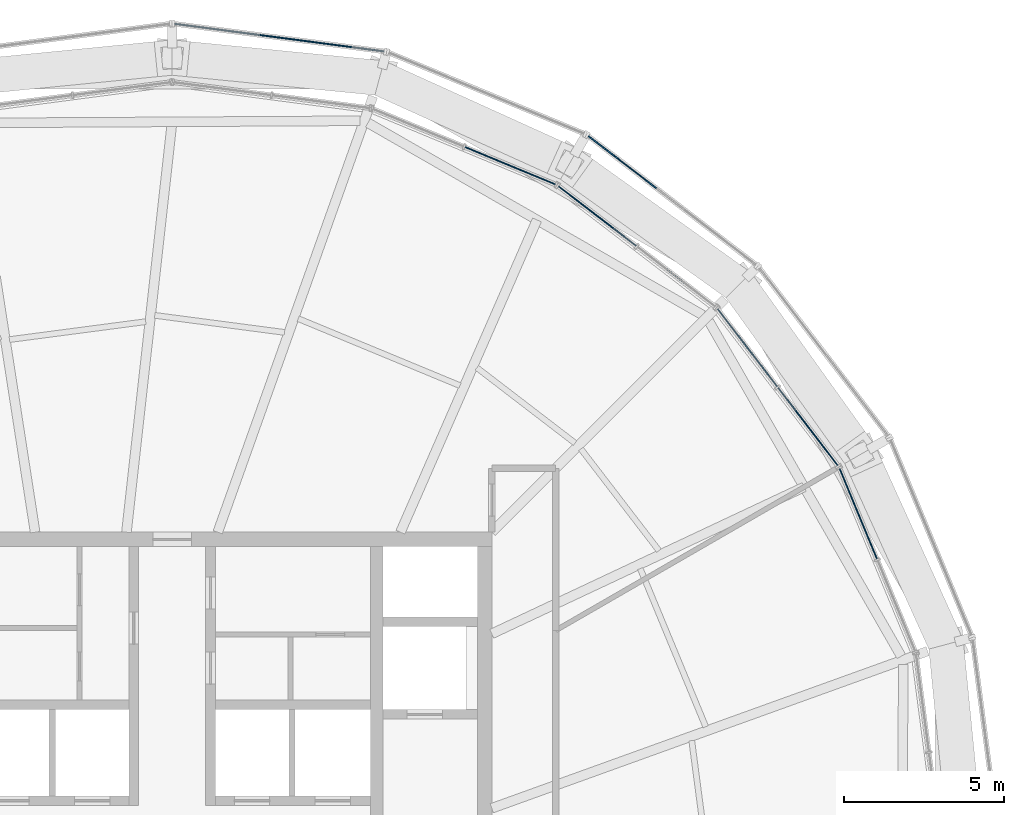
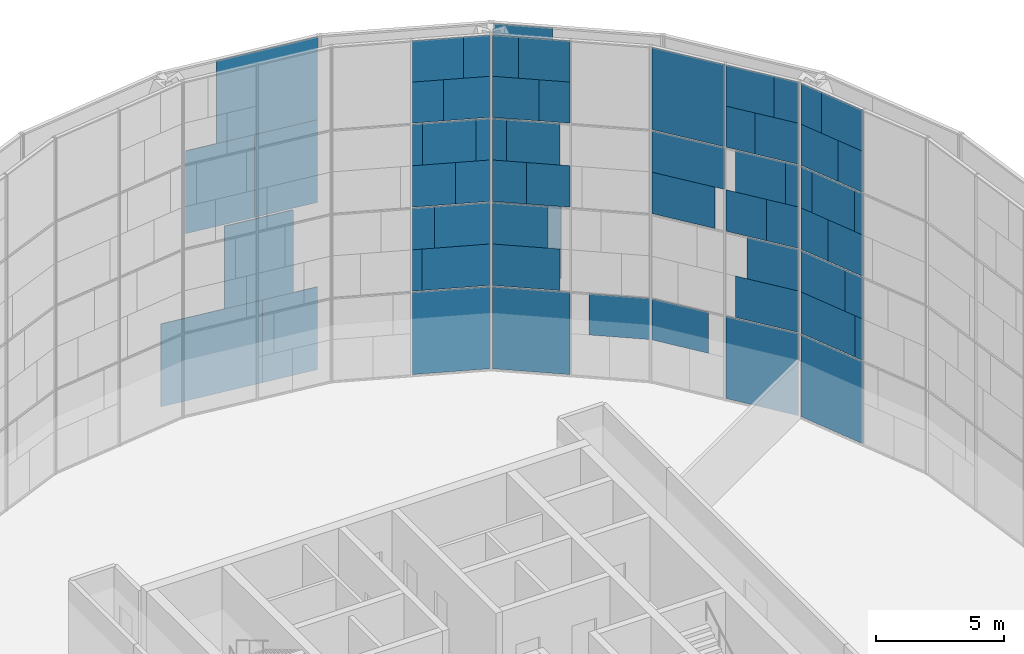
# One storey, part 24 of 30: 64 plates, 6 elements without a shape of their own.
"""IFC4 building model written with IfcOpenShell, lengths in metres."""

from ifc_helpers import new_model, si_unit, direction, frame, origin, origin_2d, place, context, subcontext, project, spatial, rectangle, extrude, material, layer, layer_set, type_object, element, aggregate, save


model = new_model("IFC4")

# Units and contexts
model_context = context("Model", 3, precision=1e-05, world=origin(), true_north=direction((0.0, 1.0)))
body_context = subcontext(model_context, "Body", "Model", "MODEL_VIEW")
ifc_project = project(units=[si_unit("LENGTHUNIT", "METRE"), si_unit("AREAUNIT", "SQUARE_METRE"), si_unit("VOLUMEUNIT", "CUBIC_METRE"), si_unit("PLANEANGLEUNIT", "RADIAN"), si_unit("MASSUNIT", "GRAM", prefix="KILO")], contexts=[model_context])

# Site, building, storey
site_placement = place(None, origin())
site = spatial("IfcSite", under=ifc_project, at=site_placement, CompositionType="ELEMENT")
building_placement = place(site_placement, origin())
building = spatial("IfcBuilding", under=site, at=building_placement, Name="Golbaran Civic Tower", CompositionType="ELEMENT")
storey_placement = place(building_placement, frame((0.0, 0.0, 167.0)))
storey = spatial("IfcBuildingStorey", under=building, at=storey_placement, Name="L40", CompositionType="ELEMENT", Elevation=167.0)

# Curtain wall, plates
ifc_material_1 = material(Name="Aluminium and glass", Category="aluminium")
curtain_wall_type_1 = type_object("IfcCurtainWallType", Name="INNER SKIN CURTAIN WALL EXECUTIVE", PredefinedType="NOTDEFINED", material=ifc_material_1)
curtain_wall_1_placement = place(storey_placement, origin())
curtain_wall_1 = element("IfcCurtainWall", 1, at=curtain_wall_1_placement, inside=storey, type_object=curtain_wall_type_1, Name="Inner skin L40 facet 2 CW2", ObjectType="INNER SKIN", PredefinedType="USERDEFINED")
ifc_material_2 = material(Name="Clear insulating glass", Category="glass")
ifc_layer_1 = layer(ifc_material_2, 0.031982421875, Name="Clear insulating glass")
ifc_layer_set_1 = layer_set([ifc_layer_1], Name="Clear insulating glass")
plate_type_1 = type_object("IfcPlateType", Name="INNER SKIN CURTAIN WALL EXECUTIVE GLAZED PANEL", PredefinedType="CURTAIN_PANEL", material=ifc_layer_set_1)
plate_1_placement = place(storey_placement, frame((21.463623046875, 10.575439453125, 0.06005859375), z_axis=(0.0, 0.0, 1.0), x_axis=(-0.382683432462, 0.923879532471, 0.0)))
plate_1 = element("IfcPlate", 2, at=plate_1_placement, type_object=plate_type_1, Name="CW2 panel 2.1", PredefinedType="CURTAIN_PANEL", context=body_context, shape_type="SweptSolid", body=[
    extrude(rectangle(XDim=3.053466796875, YDim=0.031982421875, at=origin_2d()), origin(), (0.0, 0.0, 1.0), 3.909912109375),
])
plate_2_placement = place(storey_placement, frame((21.386962890625, 10.7607421875, 4.02978515625), z_axis=(0.0, 0.0, 1.0), x_axis=(-0.382683432462, 0.923879532471, 0.0)))
plate_2 = element("IfcPlate", 3, at=plate_2_placement, type_object=plate_type_1, Name="CW2 panel 2.2 part 2", PredefinedType="CURTAIN_PANEL", context=body_context, shape_type="SweptSolid", body=[
    extrude(rectangle(XDim=2.65234375, YDim=0.031982421875, at=origin_2d()), origin(), (0.0, 0.0, 1.0), 1.969970703125),
])
plate_3_placement = place(storey_placement, frame((21.29443359375, 10.984375, 6.0), z_axis=(0.0, 0.0, 1.0), x_axis=(-0.382683432462, 0.923879532471, 0.0)))
plate_3 = element("IfcPlate", 4, at=plate_3_placement, type_object=plate_type_1, Name="CW2 panel 2.2 part 4", PredefinedType="CURTAIN_PANEL", context=body_context, shape_type="SweptSolid", body=[
    extrude(rectangle(XDim=2.16845703125, YDim=0.031982421875, at=origin_2d()), origin(), (0.0, 0.0, 1.0), 1.969970703125),
])
plate_4_placement = place(storey_placement, frame((21.13623046875, 11.365966796875, 8.02978515625), z_axis=(0.0, 0.0, 1.0), x_axis=(-0.382683432462, 0.923879532471, 0.0)))
plate_4 = element("IfcPlate", 5, at=plate_4_placement, type_object=plate_type_1, Name="CW2 panel 2.3 part 2", PredefinedType="CURTAIN_PANEL", context=body_context, shape_type="SweptSolid", body=[
    extrude(rectangle(XDim=1.342529296875, YDim=0.031982421875, at=origin_2d()), origin(), (0.0, 0.0, 1.0), 1.969970703125),
])
plate_5_placement = place(storey_placement, frame((21.969970703125, 9.35302734375, 10.0), z_axis=(0.0, 0.0, 1.0), x_axis=(-0.382683432462, 0.923879532471, 0.0)))
plate_5 = element("IfcPlate", 6, at=plate_5_placement, type_object=plate_type_1, Name="CW2 panel 2.3 part 3", PredefinedType="CURTAIN_PANEL", context=body_context, shape_type="SweptSolid", body=[
    extrude(rectangle(XDim=0.406982421875, YDim=0.031982421875, at=origin_2d()), origin(), (0.0, 0.0, 1.0), 1.969970703125),
])
plate_6_placement = place(storey_placement, frame((20.982666015625, 11.73681640625, 10.0), z_axis=(0.0, 0.0, 1.0), x_axis=(-0.382683432462, 0.923879532471, 0.0)))
plate_6 = element("IfcPlate", 7, at=plate_6_placement, type_object=plate_type_1, Name="CW2 panel 2.3 part 5", PredefinedType="CURTAIN_PANEL", context=body_context, shape_type="SweptSolid", body=[
    extrude(rectangle(XDim=0.53955078125, YDim=0.031982421875, at=origin_2d()), origin(), (0.0, 0.0, 1.0), 1.969970703125),
])
plate_7_placement = place(storey_placement, frame((21.811767578125, 9.735107421875, 12.030029296875), z_axis=(0.0, 0.0, 1.0), x_axis=(-0.382683432462, 0.923879532471, 0.0)))
plate_7 = element("IfcPlate", 8, at=plate_7_placement, type_object=plate_type_1, Name="CW2 panel 2.4 part 1", PredefinedType="CURTAIN_PANEL", context=body_context, shape_type="SweptSolid", body=[
    extrude(rectangle(XDim=1.23388671875, YDim=0.031982421875, at=origin_2d()), origin(), (0.0, 0.0, 1.0), 1.955078125),
])
plate_8_placement = place(storey_placement, frame((21.659423828125, 10.102783203125, 13.98486328125), z_axis=(0.0, 0.0, 1.0), x_axis=(-0.382683432462, 0.923879532471, 0.0)))
plate_8 = element("IfcPlate", 9, at=plate_8_placement, type_object=plate_type_1, Name="CW2 panel 2.4 part 3", PredefinedType="CURTAIN_PANEL", context=body_context, shape_type="SweptSolid", body=[
    extrude(rectangle(XDim=2.030029296875, YDim=0.031982421875, at=origin_2d()), origin(), (0.0, 0.0, 1.0), 1.955078125),
])

curtain_wall_2_placement = place(storey_placement, origin())
curtain_wall_2 = element("IfcCurtainWall", 10, at=curtain_wall_2_placement, inside=storey, type_object=curtain_wall_type_1, Name="Inner skin L40 facet 3 CW2", ObjectType="INNER SKIN", PredefinedType="USERDEFINED")
plate_9_placement = place(storey_placement, frame((19.890625, 13.30029296875, 0.06005859375), z_axis=(0.0, 0.0, 1.0), x_axis=(-0.608761429036, 0.79335334027, 0.0)))
plate_9 = element("IfcPlate", 11, at=plate_9_placement, type_object=plate_type_1, Name="CW2 panel 1.1", PredefinedType="CURTAIN_PANEL", context=body_context, shape_type="SweptSolid", body=[
    extrude(rectangle(XDim=3.053466796875, YDim=0.031982421875, at=origin_2d()), origin(), (0.0, 0.0, 1.0), 3.909912109375),
])
plate_10_placement = place(storey_placement, frame((20.0126953125, 13.14111328125, 4.02978515625), z_axis=(0.0, 0.0, 1.0), x_axis=(-0.608761429036, 0.79335334027, 0.0)))
plate_10 = element("IfcPlate", 12, at=plate_10_placement, type_object=plate_type_1, Name="CW2 panel 1.2 part 1", PredefinedType="CURTAIN_PANEL", context=body_context, shape_type="SweptSolid", body=[
    extrude(rectangle(XDim=2.652099609375, YDim=0.031982421875, at=origin_2d()), origin(), (0.0, 0.0, 1.0), 1.969970703125),
])
plate_11_placement = place(storey_placement, frame((20.15966796875, 12.949462890625, 6.0), z_axis=(0.0, 0.0, 1.0), x_axis=(-0.608761429036, 0.79335334027, 0.0)))
plate_11 = element("IfcPlate", 13, at=plate_11_placement, type_object=plate_type_1, Name="CW2 panel 1.2 part 3", PredefinedType="CURTAIN_PANEL", context=body_context, shape_type="SweptSolid", body=[
    extrude(rectangle(XDim=2.1689453125, YDim=0.031982421875, at=origin_2d()), origin(), (0.0, 0.0, 1.0), 1.969970703125),
])
plate_12_placement = place(storey_placement, frame((20.411376953125, 12.621337890625, 8.02978515625), z_axis=(0.0, 0.0, 1.0), x_axis=(-0.608761429036, 0.79335334027, 0.0)))
plate_12 = element("IfcPlate", 14, at=plate_12_placement, type_object=plate_type_1, Name="CW2 panel 1.3 part 1", PredefinedType="CURTAIN_PANEL", context=body_context, shape_type="SweptSolid", body=[
    extrude(rectangle(XDim=1.342041015625, YDim=0.031982421875, at=origin_2d()), origin(), (0.0, 0.0, 1.0), 1.969970703125),
])
plate_13_placement = place(storey_placement, frame((20.655517578125, 12.30322265625, 10.0), z_axis=(0.0, 0.0, 1.0), x_axis=(-0.608761429036, 0.79335334027, 0.0)))
plate_13 = element("IfcPlate", 15, at=plate_13_placement, type_object=plate_type_1, Name="CW2 panel 1.3 part 3", PredefinedType="CURTAIN_PANEL", context=body_context, shape_type="SweptSolid", body=[
    extrude(rectangle(XDim=0.5400390625, YDim=0.031982421875, at=origin_2d()), origin(), (0.0, 0.0, 1.0), 1.969970703125),
])
plate_14_placement = place(storey_placement, frame((19.336669921875, 14.022216796875, 12.030029296875), z_axis=(0.0, 0.0, 1.0), x_axis=(-0.608761429036, 0.79335334027, 0.0)))
plate_14 = element("IfcPlate", 16, at=plate_14_placement, type_object=plate_type_1, Name="CW2 panel 1.4 part 2", PredefinedType="CURTAIN_PANEL", context=body_context, shape_type="SweptSolid", body=[
    extrude(rectangle(XDim=1.2333984375, YDim=0.031982421875, at=origin_2d()), origin(), (0.0, 0.0, 1.0), 1.955078125),
])
plate_15_placement = place(storey_placement, frame((19.578857421875, 13.70654296875, 13.98486328125), z_axis=(0.0, 0.0, 1.0), x_axis=(-0.608761429036, 0.79335334027, 0.0)))
plate_15 = element("IfcPlate", 17, at=plate_15_placement, type_object=plate_type_1, Name="CW2 panel 1.4 part 4", PredefinedType="CURTAIN_PANEL", context=body_context, shape_type="SweptSolid", body=[
    extrude(rectangle(XDim=2.029541015625, YDim=0.031982421875, at=origin_2d()), origin(), (0.0, 0.0, 1.0), 1.955078125),
])
plate_16_placement = place(storey_placement, frame((17.873046875, 15.929443359375, 8.02978515625), z_axis=(0.0, 0.0, 1.0), x_axis=(-0.608761429036, 0.79335334027, 0.0)))
plate_16 = element("IfcPlate", 18, at=plate_16_placement, type_object=plate_type_1, Name="CW2 panel 2.3 part 2", PredefinedType="CURTAIN_PANEL", context=body_context, shape_type="SweptSolid", body=[
    extrude(rectangle(XDim=2.65234375, YDim=0.031982421875, at=origin_2d()), origin(), (0.0, 0.0, 1.0), 1.969970703125),
])
plate_17_placement = place(storey_placement, frame((17.9951171875, 15.7705078125, 10.0), z_axis=(0.0, 0.0, 1.0), x_axis=(-0.608761429036, 0.79335334027, 0.0)))
plate_17 = element("IfcPlate", 19, at=plate_17_placement, type_object=plate_type_1, Name="CW2 panel 2.3 part 3", PredefinedType="CURTAIN_PANEL", context=body_context, shape_type="SweptSolid", body=[
    extrude(rectangle(XDim=3.053466796875, YDim=0.031982421875, at=origin_2d()), origin(), (0.0, 0.0, 1.0), 1.969970703125),
])
plate_18_placement = place(storey_placement, frame((17.9951171875, 15.7705078125, 12.0302734375), z_axis=(0.0, 0.0, 1.0), x_axis=(-0.608761429036, 0.79335334027, 0.0)))
plate_18 = element("IfcPlate", 20, at=plate_18_placement, type_object=plate_type_1, Name="CW2 panel 2.4", PredefinedType="CURTAIN_PANEL", context=body_context, shape_type="SweptSolid", body=[
    extrude(rectangle(XDim=3.053466796875, YDim=0.031982421875, at=origin_2d()), origin(), (0.0, 0.0, 1.0), 3.909912109375),
])

curtain_wall_3_placement = place(storey_placement, origin())
curtain_wall_3 = element("IfcCurtainWall", 21, at=curtain_wall_3_placement, inside=storey, type_object=curtain_wall_type_1, Name="Inner skin L40 facet 4 CW2", ObjectType="INNER SKIN", PredefinedType="USERDEFINED")
plate_19_placement = place(storey_placement, frame((13.30029296875, 19.890625, 0.06005859375), z_axis=(0.0, 0.0, 1.0), x_axis=(-0.79335334027, 0.608761429036, 0.0)))
plate_19 = element("IfcPlate", 22, at=plate_19_placement, type_object=plate_type_1, Name="CW2 panel 2.1", PredefinedType="CURTAIN_PANEL", context=body_context, shape_type="SweptSolid", body=[
    extrude(rectangle(XDim=3.053466796875, YDim=0.031982421875, at=origin_2d()), origin(), (0.0, 0.0, 1.0), 3.909912109375),
])
plate_20_placement = place(storey_placement, frame((13.141357421875, 20.0126953125, 4.02978515625), z_axis=(0.0, 0.0, 1.0), x_axis=(-0.79335334027, 0.608761429036, 0.0)))
plate_20 = element("IfcPlate", 23, at=plate_20_placement, type_object=plate_type_1, Name="CW2 panel 2.2 part 2", PredefinedType="CURTAIN_PANEL", context=body_context, shape_type="SweptSolid", body=[
    extrude(rectangle(XDim=2.65234375, YDim=0.031982421875, at=origin_2d()), origin(), (0.0, 0.0, 1.0), 1.969970703125),
])
plate_21_placement = place(storey_placement, frame((12.94921875, 20.159912109375, 6.0), z_axis=(0.0, 0.0, 1.0), x_axis=(-0.79335334027, 0.608761429036, 0.0)))
plate_21 = element("IfcPlate", 24, at=plate_21_placement, type_object=plate_type_1, Name="CW2 panel 2.2 part 4", PredefinedType="CURTAIN_PANEL", context=body_context, shape_type="SweptSolid", body=[
    extrude(rectangle(XDim=2.16845703125, YDim=0.031982421875, at=origin_2d()), origin(), (0.0, 0.0, 1.0), 1.969970703125),
])
plate_22_placement = place(storey_placement, frame((12.62158203125, 20.411376953125, 8.02978515625), z_axis=(0.0, 0.0, 1.0), x_axis=(-0.79335334027, 0.608761429036, 0.0)))
plate_22 = element("IfcPlate", 25, at=plate_22_placement, type_object=plate_type_1, Name="CW2 panel 2.3 part 2", PredefinedType="CURTAIN_PANEL", context=body_context, shape_type="SweptSolid", body=[
    extrude(rectangle(XDim=1.342529296875, YDim=0.031982421875, at=origin_2d()), origin(), (0.0, 0.0, 1.0), 1.969970703125),
])
plate_23_placement = place(storey_placement, frame((12.302978515625, 20.65576171875, 10.0), z_axis=(0.0, 0.0, 1.0), x_axis=(-0.79335334027, 0.608761429036, 0.0)))
plate_23 = element("IfcPlate", 26, at=plate_23_placement, type_object=plate_type_1, Name="CW2 panel 2.3 part 5", PredefinedType="CURTAIN_PANEL", context=body_context, shape_type="SweptSolid", body=[
    extrude(rectangle(XDim=0.53955078125, YDim=0.031982421875, at=origin_2d()), origin(), (0.0, 0.0, 1.0), 1.969970703125),
])
plate_24_placement = place(storey_placement, frame((14.02197265625, 19.336669921875, 12.030029296875), z_axis=(0.0, 0.0, 1.0), x_axis=(-0.79335334027, 0.608761429036, 0.0)))
plate_24 = element("IfcPlate", 27, at=plate_24_placement, type_object=plate_type_1, Name="CW2 panel 2.4 part 1", PredefinedType="CURTAIN_PANEL", context=body_context, shape_type="SweptSolid", body=[
    extrude(rectangle(XDim=1.23388671875, YDim=0.031982421875, at=origin_2d()), origin(), (0.0, 0.0, 1.0), 1.955078125),
])
plate_25_placement = place(storey_placement, frame((13.706298828125, 19.5791015625, 13.98486328125), z_axis=(0.0, 0.0, 1.0), x_axis=(-0.79335334027, 0.608761429036, 0.0)))
plate_25 = element("IfcPlate", 28, at=plate_25_placement, type_object=plate_type_1, Name="CW2 panel 2.4 part 3", PredefinedType="CURTAIN_PANEL", context=body_context, shape_type="SweptSolid", body=[
    extrude(rectangle(XDim=2.030029296875, YDim=0.031982421875, at=origin_2d()), origin(), (0.0, 0.0, 1.0), 1.955078125),
])

curtain_wall_4_placement = place(storey_placement, origin())
curtain_wall_4 = element("IfcCurtainWall", 29, at=curtain_wall_4_placement, inside=storey, type_object=curtain_wall_type_1, Name="Inner skin L40 facet 5 CW2", ObjectType="INNER SKIN", PredefinedType="USERDEFINED")
plate_26_placement = place(storey_placement, frame((10.575439453125, 21.463623046875, 0.06005859375), z_axis=(0.0, 0.0, 1.0), x_axis=(-0.923879532471, 0.382683432462, 0.0)))
plate_26 = element("IfcPlate", 30, at=plate_26_placement, type_object=plate_type_1, Name="CW2 panel 1.1", PredefinedType="CURTAIN_PANEL", context=body_context, shape_type="SweptSolid", body=[
    extrude(rectangle(XDim=3.053466796875, YDim=0.031982421875, at=origin_2d()), origin(), (0.0, 0.0, 1.0), 3.909912109375),
])
plate_27_placement = place(storey_placement, frame((10.760986328125, 21.386962890625, 4.02978515625), z_axis=(0.0, 0.0, 1.0), x_axis=(-0.923879532471, 0.382683432462, 0.0)))
plate_27 = element("IfcPlate", 31, at=plate_27_placement, type_object=plate_type_1, Name="CW2 panel 1.2 part 1", PredefinedType="CURTAIN_PANEL", context=body_context, shape_type="SweptSolid", body=[
    extrude(rectangle(XDim=2.652099609375, YDim=0.031982421875, at=origin_2d()), origin(), (0.0, 0.0, 1.0), 1.969970703125),
])
plate_28_placement = place(storey_placement, frame((10.984130859375, 21.29443359375, 6.0), z_axis=(0.0, 0.0, 1.0), x_axis=(-0.923879532471, 0.382683432462, 0.0)))
plate_28 = element("IfcPlate", 32, at=plate_28_placement, type_object=plate_type_1, Name="CW2 panel 1.2 part 3", PredefinedType="CURTAIN_PANEL", context=body_context, shape_type="SweptSolid", body=[
    extrude(rectangle(XDim=2.1689453125, YDim=0.031982421875, at=origin_2d()), origin(), (0.0, 0.0, 1.0), 1.969970703125),
])
plate_29_placement = place(storey_placement, frame((11.3662109375, 21.13623046875, 8.02978515625), z_axis=(0.0, 0.0, 1.0), x_axis=(-0.923879532471, 0.382683432462, 0.0)))
plate_29 = element("IfcPlate", 33, at=plate_29_placement, type_object=plate_type_1, Name="CW2 panel 1.3 part 1", PredefinedType="CURTAIN_PANEL", context=body_context, shape_type="SweptSolid", body=[
    extrude(rectangle(XDim=1.342041015625, YDim=0.031982421875, at=origin_2d()), origin(), (0.0, 0.0, 1.0), 1.969970703125),
])
plate_30_placement = place(storey_placement, frame((11.736572265625, 20.982666015625, 10.0), z_axis=(0.0, 0.0, 1.0), x_axis=(-0.923879532471, 0.382683432462, 0.0)))
plate_30 = element("IfcPlate", 34, at=plate_30_placement, type_object=plate_type_1, Name="CW2 panel 1.3 part 3", PredefinedType="CURTAIN_PANEL", context=body_context, shape_type="SweptSolid", body=[
    extrude(rectangle(XDim=0.5400390625, YDim=0.031982421875, at=origin_2d()), origin(), (0.0, 0.0, 1.0), 1.969970703125),
])
plate_31_placement = place(storey_placement, frame((9.353271484375, 21.969970703125, 10.0), z_axis=(0.0, 0.0, 1.0), x_axis=(-0.923879532471, 0.382683432462, 0.0)))
plate_31 = element("IfcPlate", 35, at=plate_31_placement, type_object=plate_type_1, Name="CW2 panel 1.3 part 5", PredefinedType="CURTAIN_PANEL", context=body_context, shape_type="SweptSolid", body=[
    extrude(rectangle(XDim=0.407470703125, YDim=0.031982421875, at=origin_2d()), origin(), (0.0, 0.0, 1.0), 1.969970703125),
])
plate_32_placement = place(storey_placement, frame((9.73486328125, 21.81201171875, 12.030029296875), z_axis=(0.0, 0.0, 1.0), x_axis=(-0.923879532471, 0.382683432462, 0.0)))
plate_32 = element("IfcPlate", 36, at=plate_32_placement, type_object=plate_type_1, Name="CW2 panel 1.4 part 2", PredefinedType="CURTAIN_PANEL", context=body_context, shape_type="SweptSolid", body=[
    extrude(rectangle(XDim=1.2333984375, YDim=0.031982421875, at=origin_2d()), origin(), (0.0, 0.0, 1.0), 1.955078125),
])
plate_33_placement = place(storey_placement, frame((10.1025390625, 21.65966796875, 13.98486328125), z_axis=(0.0, 0.0, 1.0), x_axis=(-0.923879532471, 0.382683432462, 0.0)))
plate_33 = element("IfcPlate", 37, at=plate_33_placement, type_object=plate_type_1, Name="CW2 panel 1.4 part 4", PredefinedType="CURTAIN_PANEL", context=body_context, shape_type="SweptSolid", body=[
    extrude(rectangle(XDim=2.029541015625, YDim=0.031982421875, at=origin_2d()), origin(), (0.0, 0.0, 1.0), 1.955078125),
])

# Plate
ifc_material_3 = material(Name="Aluminium faced opaque infill panel", Category="aluminium")
ifc_layer_2 = layer(ifc_material_3, 0.031982421875, Name="Aluminium faced opaque infill panel")
ifc_layer_set_2 = layer_set([ifc_layer_2], Name="Aluminium faced opaque infill panel")
plate_type_2 = type_object("IfcPlateType", Name="INNER SKIN CURTAIN WALL EXECUTIVE OPAQUE INFILL PANEL", PredefinedType="CURTAIN_PANEL", material=ifc_layer_set_2)
plate_34_placement = place(storey_placement, frame((21.97119140625, 9.350341796875, 4.02978515625), z_axis=(0.0, 0.0, 1.0), x_axis=(-0.382683432462, 0.923879532471, 0.0)))
plate_34 = element("IfcPlate", 38, at=plate_34_placement, type_object=plate_type_2, Name="CW2 infill panel 2.2 part 1", PredefinedType="CURTAIN_PANEL", context=body_context, shape_type="SweptSolid", body=[
    extrude(rectangle(XDim=0.40087890625, YDim=0.031982421875, at=origin_2d()), origin(), (0.0, 0.0, 1.0), 1.969970703125),
])

plate_35_placement = place(storey_placement, frame((21.878662109375, 9.573974609375, 6.0), z_axis=(0.0, 0.0, 1.0), x_axis=(-0.382683432462, 0.923879532471, 0.0)))
plate_35 = element("IfcPlate", 39, at=plate_35_placement, type_object=plate_type_2, Name="CW2 infill panel 2.2 part 3", PredefinedType="CURTAIN_PANEL", context=body_context, shape_type="SweptSolid", body=[
    extrude(rectangle(XDim=0.885009765625, YDim=0.031982421875, at=origin_2d()), origin(), (0.0, 0.0, 1.0), 1.969970703125),
])

plate_36_placement = place(storey_placement, frame((21.720458984375, 9.955322265625, 8.02978515625), z_axis=(0.0, 0.0, 1.0), x_axis=(-0.382683432462, 0.923879532471, 0.0)))
plate_36 = element("IfcPlate", 40, at=plate_36_placement, type_object=plate_type_2, Name="CW2 infill panel 2.3 part 1", PredefinedType="CURTAIN_PANEL", context=body_context, shape_type="SweptSolid", body=[
    extrude(rectangle(XDim=1.7109375, YDim=0.031982421875, at=origin_2d()), origin(), (0.0, 0.0, 1.0), 1.969970703125),
])

plate_37_placement = place(storey_placement, frame((21.489013671875, 10.514404296875, 10.0), z_axis=(0.0, 0.0, 1.0), x_axis=(-0.382683432462, 0.923879532471, 0.0)))
plate_37 = element("IfcPlate", 41, at=plate_37_placement, type_object=plate_type_2, Name="CW2 infill panel 2.3 part 4", PredefinedType="CURTAIN_PANEL", context=body_context, shape_type="SweptSolid", body=[
    extrude(rectangle(XDim=2.10693359375, YDim=0.031982421875, at=origin_2d()), origin(), (0.0, 0.0, 1.0), 1.969970703125),
])

plate_38_placement = place(storey_placement, frame((21.2275390625, 11.1455078125, 12.030029296875), z_axis=(0.0, 0.0, 1.0), x_axis=(-0.382683432462, 0.923879532471, 0.0)))
plate_38 = element("IfcPlate", 42, at=plate_38_placement, type_object=plate_type_2, Name="CW2 infill panel 2.4 part 2", PredefinedType="CURTAIN_PANEL", context=body_context, shape_type="SweptSolid", body=[
    extrude(rectangle(XDim=1.819580078125, YDim=0.031982421875, at=origin_2d()), origin(), (0.0, 0.0, 1.0), 1.955078125),
])

plate_39_placement = place(storey_placement, frame((21.0751953125, 11.51318359375, 13.98486328125), z_axis=(0.0, 0.0, 1.0), x_axis=(-0.382683432462, 0.923879532471, 0.0)))
plate_39 = element("IfcPlate", 43, at=plate_39_placement, type_object=plate_type_2, Name="CW2 infill panel 2.4 part 4", PredefinedType="CURTAIN_PANEL", context=body_context, shape_type="SweptSolid", body=[
    extrude(rectangle(XDim=1.0234375, YDim=0.031982421875, at=origin_2d()), origin(), (0.0, 0.0, 1.0), 1.955078125),
])

aggregate(curtain_wall_1, [plate_1, plate_34, plate_2, plate_35, plate_3, plate_36, plate_4, plate_5, plate_37, plate_6, plate_7, plate_38, plate_8, plate_39])

plate_40_placement = place(storey_placement, frame((19.482177734375, 13.832763671875, 8.02978515625), z_axis=(0.0, 0.0, 1.0), x_axis=(-0.608761429036, 0.79335334027, 0.0)))
plate_40 = element("IfcPlate", 44, at=plate_40_placement, type_object=plate_type_2, Name="CW2 infill panel 1.3 part 2", PredefinedType="CURTAIN_PANEL", context=body_context, shape_type="SweptSolid", body=[
    extrude(rectangle(XDim=1.71142578125, YDim=0.031982421875, at=origin_2d()), origin(), (0.0, 0.0, 1.0), 1.969970703125),
])

plate_41_placement = place(storey_placement, frame((19.85009765625, 13.35302734375, 10.0), z_axis=(0.0, 0.0, 1.0), x_axis=(-0.608761429036, 0.79335334027, 0.0)))
plate_41 = element("IfcPlate", 45, at=plate_41_placement, type_object=plate_type_2, Name="CW2 infill panel 1.3 part 4", PredefinedType="CURTAIN_PANEL", context=body_context, shape_type="SweptSolid", body=[
    extrude(rectangle(XDim=2.10595703125, YDim=0.031982421875, at=origin_2d()), origin(), (0.0, 0.0, 1.0), 1.969970703125),
])

plate_42_placement = place(storey_placement, frame((20.26611328125, 12.81103515625, 12.030029296875), z_axis=(0.0, 0.0, 1.0), x_axis=(-0.608761429036, 0.79335334027, 0.0)))
plate_42 = element("IfcPlate", 46, at=plate_42_placement, type_object=plate_type_2, Name="CW2 infill panel 1.4 part 1", PredefinedType="CURTAIN_PANEL", context=body_context, shape_type="SweptSolid", body=[
    extrude(rectangle(XDim=1.820068359375, YDim=0.031982421875, at=origin_2d()), origin(), (0.0, 0.0, 1.0), 1.955078125),
])

plate_43_placement = place(storey_placement, frame((20.50830078125, 12.495361328125, 13.98486328125), z_axis=(0.0, 0.0, 1.0), x_axis=(-0.608761429036, 0.79335334027, 0.0)))
plate_43 = element("IfcPlate", 47, at=plate_43_placement, type_object=plate_type_2, Name="CW2 infill panel 1.4 part 3", PredefinedType="CURTAIN_PANEL", context=body_context, shape_type="SweptSolid", body=[
    extrude(rectangle(XDim=1.02392578125, YDim=0.031982421875, at=origin_2d()), origin(), (0.0, 0.0, 1.0), 1.955078125),
])

plate_44_placement = place(storey_placement, frame((17.787109375, 16.041748046875, 2.014892578125), z_axis=(0.0, 0.0, 1.0), x_axis=(-0.608761429036, 0.79335334027, 0.0)))
plate_44 = element("IfcPlate", 48, at=plate_44_placement, type_object=plate_type_2, Name="CW2 infill panel 2.1 part 4", PredefinedType="CURTAIN_PANEL", context=body_context, shape_type="SweptSolid", body=[
    extrude(rectangle(XDim=2.369384765625, YDim=0.031982421875, at=origin_2d()), origin(), (0.0, 0.0, 1.0), 1.955078125),
])

aggregate(curtain_wall_2, [plate_9, plate_10, plate_11, plate_12, plate_40, plate_13, plate_41, plate_42, plate_14, plate_43, plate_15, plate_44, plate_16, plate_17, plate_18])

plate_45_placement = place(storey_placement, frame((16.04150390625, 17.787109375, 2.014892578125), z_axis=(0.0, 0.0, 1.0), x_axis=(-0.79335334027, 0.608761429036, 0.0)))
plate_45 = element("IfcPlate", 49, at=plate_45_placement, type_object=plate_type_2, Name="CW2 infill panel 1.1 part 3", PredefinedType="CURTAIN_PANEL", context=body_context, shape_type="SweptSolid", body=[
    extrude(rectangle(XDim=2.3701171875, YDim=0.031982421875, at=origin_2d()), origin(), (0.0, 0.0, 1.0), 1.955078125),
])

plate_46_placement = place(storey_placement, frame((13.832763671875, 19.48193359375, 8.02978515625), z_axis=(0.0, 0.0, 1.0), x_axis=(-0.79335334027, 0.608761429036, 0.0)))
plate_46 = element("IfcPlate", 50, at=plate_46_placement, type_object=plate_type_2, Name="CW2 infill panel 2.3 part 1", PredefinedType="CURTAIN_PANEL", context=body_context, shape_type="SweptSolid", body=[
    extrude(rectangle(XDim=1.7109375, YDim=0.031982421875, at=origin_2d()), origin(), (0.0, 0.0, 1.0), 1.969970703125),
])

plate_47_placement = place(storey_placement, frame((13.352783203125, 19.850341796875, 10.0), z_axis=(0.0, 0.0, 1.0), x_axis=(-0.79335334027, 0.608761429036, 0.0)))
plate_47 = element("IfcPlate", 51, at=plate_47_placement, type_object=plate_type_2, Name="CW2 infill panel 2.3 part 4", PredefinedType="CURTAIN_PANEL", context=body_context, shape_type="SweptSolid", body=[
    extrude(rectangle(XDim=2.10693359375, YDim=0.031982421875, at=origin_2d()), origin(), (0.0, 0.0, 1.0), 1.969970703125),
])

plate_48_placement = place(storey_placement, frame((12.810791015625, 20.26611328125, 12.030029296875), z_axis=(0.0, 0.0, 1.0), x_axis=(-0.79335334027, 0.608761429036, 0.0)))
plate_48 = element("IfcPlate", 52, at=plate_48_placement, type_object=plate_type_2, Name="CW2 infill panel 2.4 part 2", PredefinedType="CURTAIN_PANEL", context=body_context, shape_type="SweptSolid", body=[
    extrude(rectangle(XDim=1.819580078125, YDim=0.031982421875, at=origin_2d()), origin(), (0.0, 0.0, 1.0), 1.955078125),
])

plate_49_placement = place(storey_placement, frame((12.4951171875, 20.508544921875, 13.98486328125), z_axis=(0.0, 0.0, 1.0), x_axis=(-0.79335334027, 0.608761429036, 0.0)))
plate_49 = element("IfcPlate", 53, at=plate_49_placement, type_object=plate_type_2, Name="CW2 infill panel 2.4 part 4", PredefinedType="CURTAIN_PANEL", context=body_context, shape_type="SweptSolid", body=[
    extrude(rectangle(XDim=1.0234375, YDim=0.031982421875, at=origin_2d()), origin(), (0.0, 0.0, 1.0), 1.955078125),
])

aggregate(curtain_wall_3, [plate_45, plate_19, plate_20, plate_21, plate_46, plate_22, plate_47, plate_23, plate_24, plate_48, plate_25, plate_49])

plate_50_placement = place(storey_placement, frame((9.3505859375, 21.97119140625, 4.02978515625), z_axis=(0.0, 0.0, 1.0), x_axis=(-0.923879532471, 0.382683432462, 0.0)))
plate_50 = element("IfcPlate", 54, at=plate_50_placement, type_object=plate_type_2, Name="CW2 infill panel 1.2 part 2", PredefinedType="CURTAIN_PANEL", context=body_context, shape_type="SweptSolid", body=[
    extrude(rectangle(XDim=0.4013671875, YDim=0.031982421875, at=origin_2d()), origin(), (0.0, 0.0, 1.0), 1.969970703125),
])

plate_51_placement = place(storey_placement, frame((9.573486328125, 21.878662109375, 6.0), z_axis=(0.0, 0.0, 1.0), x_axis=(-0.923879532471, 0.382683432462, 0.0)))
plate_51 = element("IfcPlate", 55, at=plate_51_placement, type_object=plate_type_2, Name="CW2 infill panel 1.2 part 4", PredefinedType="CURTAIN_PANEL", context=body_context, shape_type="SweptSolid", body=[
    extrude(rectangle(XDim=0.884521484375, YDim=0.031982421875, at=origin_2d()), origin(), (0.0, 0.0, 1.0), 1.969970703125),
])

plate_52_placement = place(storey_placement, frame((9.95556640625, 21.720458984375, 8.02978515625), z_axis=(0.0, 0.0, 1.0), x_axis=(-0.923879532471, 0.382683432462, 0.0)))
plate_52 = element("IfcPlate", 56, at=plate_52_placement, type_object=plate_type_2, Name="CW2 infill panel 1.3 part 2", PredefinedType="CURTAIN_PANEL", context=body_context, shape_type="SweptSolid", body=[
    extrude(rectangle(XDim=1.71142578125, YDim=0.031982421875, at=origin_2d()), origin(), (0.0, 0.0, 1.0), 1.969970703125),
])

plate_53_placement = place(storey_placement, frame((10.514404296875, 21.489013671875, 10.0), z_axis=(0.0, 0.0, 1.0), x_axis=(-0.923879532471, 0.382683432462, 0.0)))
plate_53 = element("IfcPlate", 57, at=plate_53_placement, type_object=plate_type_2, Name="CW2 infill panel 1.3 part 4", PredefinedType="CURTAIN_PANEL", context=body_context, shape_type="SweptSolid", body=[
    extrude(rectangle(XDim=2.10595703125, YDim=0.031982421875, at=origin_2d()), origin(), (0.0, 0.0, 1.0), 1.969970703125),
])

plate_54_placement = place(storey_placement, frame((11.145263671875, 21.227783203125, 12.030029296875), z_axis=(0.0, 0.0, 1.0), x_axis=(-0.923879532471, 0.382683432462, 0.0)))
plate_54 = element("IfcPlate", 58, at=plate_54_placement, type_object=plate_type_2, Name="CW2 infill panel 1.4 part 1", PredefinedType="CURTAIN_PANEL", context=body_context, shape_type="SweptSolid", body=[
    extrude(rectangle(XDim=1.820068359375, YDim=0.031982421875, at=origin_2d()), origin(), (0.0, 0.0, 1.0), 1.955078125),
])

plate_55_placement = place(storey_placement, frame((11.512939453125, 21.075439453125, 13.98486328125), z_axis=(0.0, 0.0, 1.0), x_axis=(-0.923879532471, 0.382683432462, 0.0)))
plate_55 = element("IfcPlate", 59, at=plate_55_placement, type_object=plate_type_2, Name="CW2 infill panel 1.4 part 3", PredefinedType="CURTAIN_PANEL", context=body_context, shape_type="SweptSolid", body=[
    extrude(rectangle(XDim=1.02392578125, YDim=0.031982421875, at=origin_2d()), origin(), (0.0, 0.0, 1.0), 1.955078125),
])

aggregate(curtain_wall_4, [plate_26, plate_27, plate_50, plate_28, plate_51, plate_29, plate_52, plate_30, plate_53, plate_31, plate_54, plate_32, plate_55, plate_33])

# Curtain wall, plates
curtain_wall_type_2 = type_object("IfcCurtainWallType", Name="OUTER SKIN TERRACOTTA SCREEN", PredefinedType="NOTDEFINED", material=ifc_material_1)
curtain_wall_5_placement = place(storey_placement, origin())
curtain_wall_5 = element("IfcCurtainWall", 60, at=curtain_wall_5_placement, inside=storey, type_object=curtain_wall_type_2, Name="Outer skin L40 facet 4 CW3", ObjectType="OUTER SKIN", PredefinedType="USERDEFINED")
ifc_material_4 = material(Name="Clear laminated glass", Category="glass")
ifc_layer_3 = layer(ifc_material_4, 0.0400390625, Name="Clear laminated glass")
ifc_layer_set_3 = layer_set([ifc_layer_3], Name="Clear laminated glass")
plate_type_3 = type_object("IfcPlateType", Name="OUTER SKIN CLEAR GLASS PANEL", PredefinedType="CURTAIN_PANEL", material=ifc_layer_set_3)
plate_56_placement = place(storey_placement, frame((14.083251953125, 21.57666015625, 3.31005859375), z_axis=(0.0, 0.0, 1.0), x_axis=(-0.793353340323, 0.608761428967, 0.0)))
plate_56 = element("IfcPlate", 61, at=plate_56_placement, type_object=plate_type_3, Name="CW3 panel 1.1 part 5", PredefinedType="CURTAIN_PANEL", context=body_context, shape_type="SweptSolid", body=[
    extrude(rectangle(XDim=2.6806640625, YDim=0.0400390625, at=origin_2d()), origin(), (0.0, 0.0, 1.0), 3.93994140625),
])
plate_57_placement = place(storey_placement, frame((13.43408203125, 22.074951171875, 7.330078125), z_axis=(0.0, 0.0, 1.0), x_axis=(-0.793353340323, 0.608761428967, 0.0)))
plate_57 = element("IfcPlate", 62, at=plate_57_placement, type_object=plate_type_3, Name="CW3 panel 1.2 part 3", PredefinedType="CURTAIN_PANEL", context=body_context, shape_type="SweptSolid", body=[
    extrude(rectangle(XDim=1.043701171875, YDim=0.0400390625, at=origin_2d()), origin(), (0.0, 0.0, 1.0), 3.93994140625),
])

curtain_wall_6_placement = place(storey_placement, origin())
curtain_wall_6 = element("IfcCurtainWall", 63, at=curtain_wall_6_placement, inside=storey, type_object=curtain_wall_type_2, Name="Outer skin L40 facet 6 CW3", ObjectType="OUTER SKIN", PredefinedType="USERDEFINED")
plate_58_placement = place(storey_placement, frame((2.203369140625, 25.623046875, -0.6298828125), z_axis=(0.0, 0.0, 1.0), x_axis=(-0.991444861381, 0.130526192168, 0.0)))
plate_58 = element("IfcPlate", 64, at=plate_58_placement, type_object=plate_type_3, Name="CW3 panel 1.1 part 2", PredefinedType="CURTAIN_PANEL", context=body_context, shape_type="SweptSolid", body=[
    extrude(rectangle(XDim=4.28466796875, YDim=0.0400390625, at=origin_2d()), origin(), (0.0, 0.0, 1.0), 3.93994140625),
])
plate_59_placement = place(storey_placement, frame((5.312744140625, 25.213623046875, 7.330078125), z_axis=(0.0, 0.0, 1.0), x_axis=(-0.991444861381, 0.130526192168, 0.0)))
plate_59 = element("IfcPlate", 65, at=plate_59_placement, type_object=plate_type_3, Name="CW3 panel 1.2 part 1", PredefinedType="CURTAIN_PANEL", context=body_context, shape_type="SweptSolid", body=[
    extrude(rectangle(XDim=2.652099609375, YDim=0.0400390625, at=origin_2d()), origin(), (0.0, 0.0, 1.0), 3.93994140625),
])
plate_60_placement = place(storey_placement, frame((4.5166015625, 25.318359375, 11.27001953125), z_axis=(0.0, 0.0, 1.0), x_axis=(-0.991444861381, 0.130526192168, 0.0)))
plate_60 = element("IfcPlate", 66, at=plate_60_placement, type_object=plate_type_3, Name="CW3 panel 1.2 part 4", PredefinedType="CURTAIN_PANEL", context=body_context, shape_type="SweptSolid", body=[
    extrude(rectangle(XDim=4.258056640625, YDim=0.0400390625, at=origin_2d()), origin(), (0.0, 0.0, 1.0), 3.93994140625),
])

# Plate
ifc_material_5 = material(Name="Terracotta baguette screen", Category="masonry")
ifc_layer_4 = layer(ifc_material_5, 0.0400390625, Name="Terracotta baguette screen")
ifc_layer_set_4 = layer_set([ifc_layer_4], Name="Terracotta baguette screen")
plate_type_4 = type_object("IfcPlateType", Name="OUTER SKIN TERRACOTTA INFILL PANEL", PredefinedType="CURTAIN_PANEL", material=ifc_layer_set_4)
plate_61_placement = place(storey_placement, frame((13.950927734375, 21.67822265625, 11.27001953125), z_axis=(0.0, 0.0, 1.0), x_axis=(-0.793353340323, 0.608761428967, 0.0)))
plate_61 = element("IfcPlate", 67, at=plate_61_placement, type_object=plate_type_4, Name="CW3 infill panel 1.2 part 5", PredefinedType="CURTAIN_PANEL", context=body_context, shape_type="SweptSolid", body=[
    extrude(rectangle(XDim=2.3466796875, YDim=0.0400390625, at=origin_2d()), origin(), (0.0, 0.0, 1.0), 3.93994140625),
])

aggregate(curtain_wall_5, [plate_56, plate_57, plate_61])

plate_62_placement = place(storey_placement, frame((5.477294921875, 25.19189453125, -0.6298828125), z_axis=(0.0, 0.0, 1.0), x_axis=(-0.991444861381, 0.130526192168, 0.0)))
plate_62 = element("IfcPlate", 68, at=plate_62_placement, type_object=plate_type_4, Name="CW3 infill panel 1.1 part 1", PredefinedType="CURTAIN_PANEL", context=body_context, shape_type="SweptSolid", body=[
    extrude(rectangle(XDim=2.320068359375, YDim=0.0400390625, at=origin_2d()), origin(), (0.0, 0.0, 1.0), 3.93994140625),
])

plate_63_placement = place(storey_placement, frame((4.1787109375, 25.36279296875, 3.31005859375), z_axis=(0.0, 0.0, 1.0), x_axis=(-0.991444861381, 0.130526192168, 0.0)))
plate_63 = element("IfcPlate", 69, at=plate_63_placement, type_object=plate_type_4, Name="CW3 infill panel 1.1 part 4", PredefinedType="CURTAIN_PANEL", context=body_context, shape_type="SweptSolid", body=[
    extrude(rectangle(XDim=2.907958984375, YDim=0.0400390625, at=origin_2d()), origin(), (0.0, 0.0, 1.0), 3.93994140625),
])

plate_64_placement = place(storey_placement, frame((2.55615234375, 25.576416015625, 7.330078125), z_axis=(0.0, 0.0, 1.0), x_axis=(-0.991444861381, 0.130526192168, 0.0)))
plate_64 = element("IfcPlate", 70, at=plate_64_placement, type_object=plate_type_4, Name="CW3 infill panel 1.2 part 2", PredefinedType="CURTAIN_PANEL", context=body_context, shape_type="SweptSolid", body=[
    extrude(rectangle(XDim=2.908935546875, YDim=0.0400390625, at=origin_2d()), origin(), (0.0, 0.0, 1.0), 3.93994140625),
])

aggregate(curtain_wall_6, [plate_62, plate_58, plate_63, plate_59, plate_64, plate_60])

save(model, "model.ifc")
